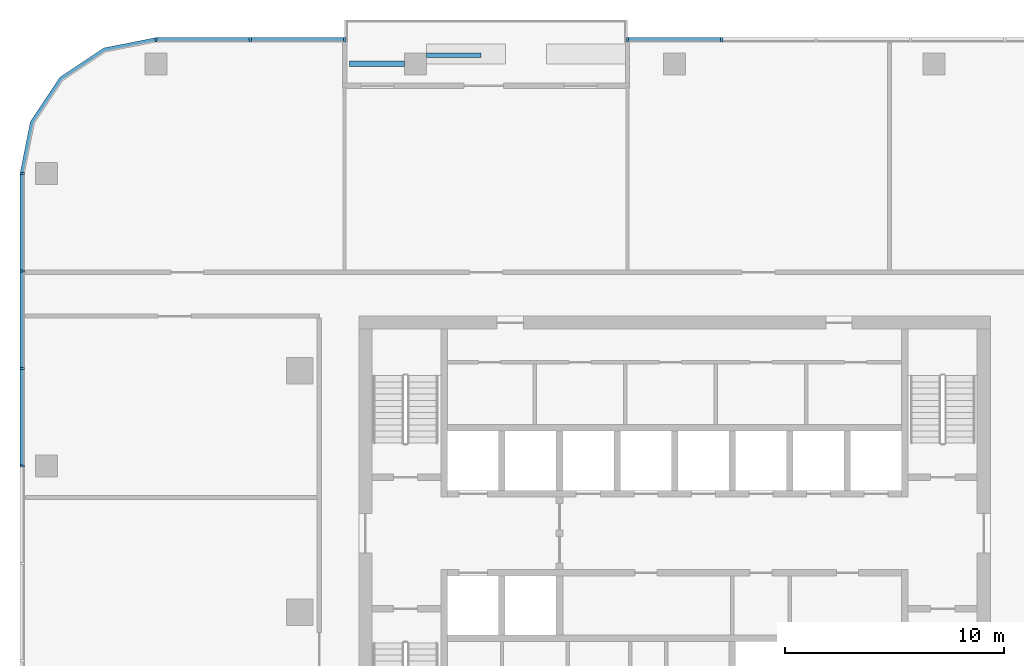
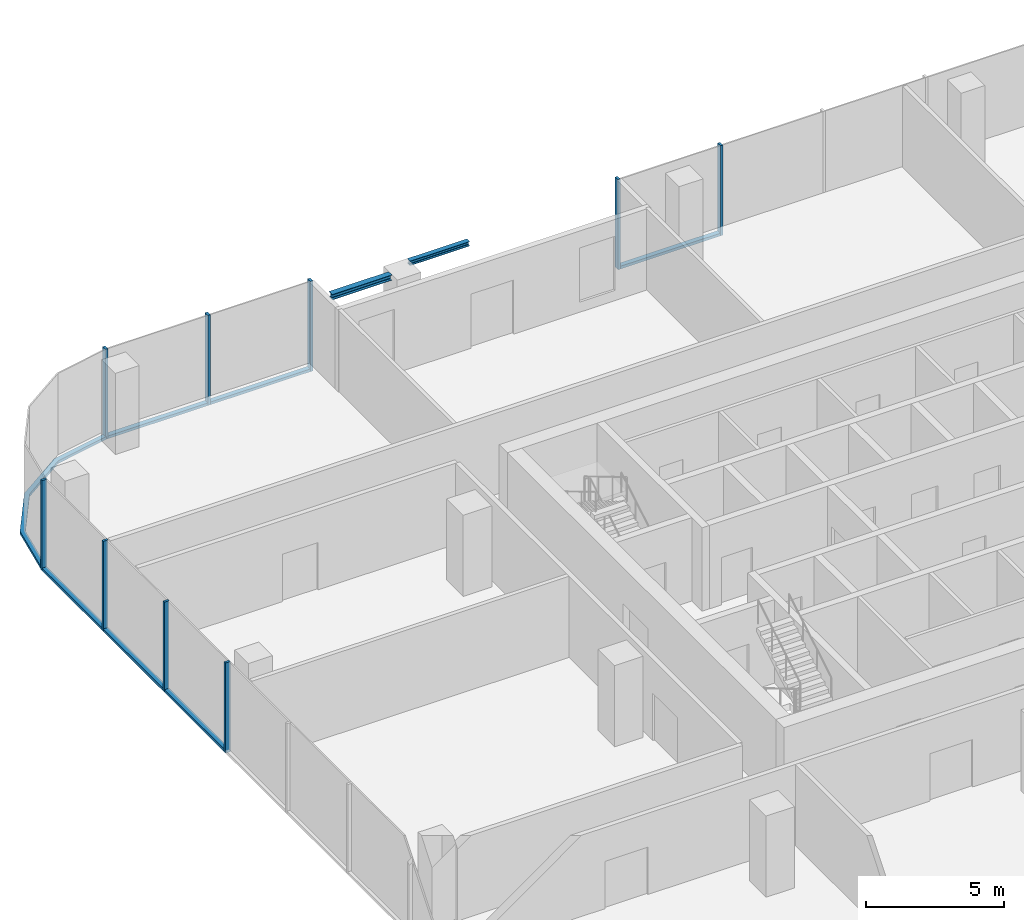
# One storey, part 4 of 13: 16 members, 2 beams, 4 elements without a shape of their own.
"""IFC4 building model written with IfcOpenShell, lengths in metres."""

from ifc_helpers import new_model, si_unit, direction, frame, origin, origin_2d, place, context, subcontext, project, spatial, polyline, rectangle, i_section, outline, extrude, material, material_profile, profile_set, type_object, element, aggregate, save


model = new_model("IFC4")

# Units and contexts
model_context = context("Model", 3, precision=1e-05, world=origin(), true_north=direction((0.0, 1.0)))
body_context = subcontext(model_context, "Body", "Model", "MODEL_VIEW")
ifc_project = project(units=[si_unit("LENGTHUNIT", "METRE"), si_unit("AREAUNIT", "SQUARE_METRE"), si_unit("VOLUMEUNIT", "CUBIC_METRE"), si_unit("PLANEANGLEUNIT", "RADIAN"), si_unit("MASSUNIT", "GRAM", prefix="KILO")], contexts=[model_context])

# Site, building, storey
site_placement = place(None, origin())
site = spatial("IfcSite", under=ifc_project, at=site_placement, CompositionType="ELEMENT")
building_placement = place(site_placement, origin())
building = spatial("IfcBuilding", under=site, at=building_placement, Name="Mopane Tessera Tower", CompositionType="ELEMENT")
storey_placement = place(building_placement, frame((0.0, 0.0, 299.39990234375)))
storey = spatial("IfcBuildingStorey", under=building, at=storey_placement, Name="L65", CompositionType="ELEMENT", Elevation=299.39990234375)

# Curtain wall, members
ifc_material_1 = material(Name="Aluminium frame", Category="aluminium")
curtain_wall_type = type_object("IfcCurtainWallType", Name="Unitised curtain wall", PredefinedType="NOTDEFINED", material=ifc_material_1)
curtain_wall_1_placement = place(storey_placement, origin())
curtain_wall_1 = element("IfcCurtainWall", 1, at=curtain_wall_1_placement, inside=storey, type_object=curtain_wall_type, Name="e:cw:L65:N:0", PredefinedType="NOTDEFINED")
ifc_material_2 = material(Name="Aluminium frame", Category="aluminium")
ifc_material_profile_1 = material_profile(ifc_material_2, rectangle(XDim=0.10009765625, YDim=0.199951171875, at=origin_2d()))
ifc_profile_set_1 = profile_set([ifc_material_profile_1], Name="Aluminium frame")
member_type_1 = type_object("IfcMemberType", Name="Aluminium mullion 100 x 200", PredefinedType="MULLION", material=ifc_profile_set_1)
member_1_placement = place(storey_placement, frame((2.14990234375, 26.10009765625, -0.39990234375), z_axis=(0.0, 0.0, 1.0), x_axis=(-1.0, 0.0, 0.0)))
member_1 = element("IfcMember", 2, at=member_1_placement, type_object=member_type_1, Name="e:cw:L65:N:0:mu5", PredefinedType="MULLION", context=body_context, shape_type="SweptSolid", body=[
    extrude(rectangle(XDim=0.10009765625, YDim=0.199951171875, at=origin_2d()), origin(), (0.0, 0.0, 1.0), 4.0),
])
member_2_placement = place(storey_placement, frame((-2.14990234375, 26.10009765625, -0.39990234375), z_axis=(0.0, 0.0, 1.0), x_axis=(-1.0, 0.0, 0.0)))
member_2 = element("IfcMember", 3, at=member_2_placement, type_object=member_type_1, Name="e:cw:L65:N:0:mu6", PredefinedType="MULLION", context=body_context, shape_type="SweptSolid", body=[
    extrude(rectangle(XDim=0.10009765625, YDim=0.199951171875, at=origin_2d()), origin(), (0.0, 0.0, 1.0), 4.0),
])

curtain_wall_2_placement = place(storey_placement, origin())
curtain_wall_2 = element("IfcCurtainWall", 4, at=curtain_wall_2_placement, inside=storey, type_object=curtain_wall_type, Name="e:cw:L65:N:9", PredefinedType="NOTDEFINED")
member_3_placement = place(storey_placement, frame((-15.050048828125, 26.10009765625, -0.39990234375), z_axis=(0.0, 0.0, 1.0), x_axis=(-1.0, 0.0, 0.0)))
member_3 = element("IfcMember", 5, at=member_3_placement, type_object=member_type_1, Name="e:cw:L65:N:9:mu9", PredefinedType="MULLION", context=body_context, shape_type="SweptSolid", body=[
    extrude(rectangle(XDim=0.10009765625, YDim=0.199951171875, at=origin_2d()), origin(), (0.0, 0.0, 1.0), 4.0),
])
member_4_placement = place(storey_placement, frame((-19.35009765625, 26.10009765625, -0.39990234375), z_axis=(0.0, 0.0, 1.0), x_axis=(-1.0, 0.0, 0.0)))
member_4 = element("IfcMember", 6, at=member_4_placement, type_object=member_type_1, Name="e:cw:L65:N:9:mu10", PredefinedType="MULLION", context=body_context, shape_type="SweptSolid", body=[
    extrude(rectangle(XDim=0.10009765625, YDim=0.199951171875, at=origin_2d()), origin(), (0.0, 0.0, 1.0), 4.0),
])
member_5_placement = place(storey_placement, frame((-23.64990234375, 26.10009765625, -0.39990234375), z_axis=(0.0, 0.0, 1.0), x_axis=(-1.0, 0.0, 0.0)))
member_5 = element("IfcMember", 7, at=member_5_placement, type_object=member_type_1, Name="e:cw:L65:N:9:mu11", PredefinedType="MULLION", context=body_context, shape_type="SweptSolid", body=[
    extrude(rectangle(XDim=0.10009765625, YDim=0.199951171875, at=origin_2d()), origin(), (0.0, 0.0, 1.0), 4.0),
])

curtain_wall_3_placement = place(storey_placement, origin())
curtain_wall_3 = element("IfcCurtainWall", 8, at=curtain_wall_3_placement, inside=storey, type_object=curtain_wall_type, Name="e:cw:L65:W:0", PredefinedType="NOTDEFINED")
member_6_placement = place(storey_placement, frame((-29.75, 20.0, -0.39990234375), z_axis=(0.0, 0.0, 1.0), x_axis=(0.0, -1.0, 0.0)))
member_6 = element("IfcMember", 9, at=member_6_placement, type_object=member_type_1, Name="e:cw:L65:W:0:mu0", PredefinedType="MULLION", context=body_context, shape_type="SweptSolid", body=[
    extrude(rectangle(XDim=0.10009765625, YDim=0.199951171875, at=origin_2d()), origin(), (0.0, 0.0, 1.0), 4.0),
])
member_7_placement = place(storey_placement, frame((-29.75, 15.5556640625, -0.39990234375), z_axis=(0.0, 0.0, 1.0), x_axis=(0.0, -1.0, 0.0)))
member_7 = element("IfcMember", 10, at=member_7_placement, type_object=member_type_1, Name="e:cw:L65:W:0:mu1", PredefinedType="MULLION", context=body_context, shape_type="SweptSolid", body=[
    extrude(rectangle(XDim=0.10009765625, YDim=0.199951171875, at=origin_2d()), origin(), (0.0, 0.0, 1.0), 4.0),
])
member_8_placement = place(storey_placement, frame((-29.75, 11.111083984375, -0.39990234375), z_axis=(0.0, 0.0, 1.0), x_axis=(0.0, -1.0, 0.0)))
member_8 = element("IfcMember", 11, at=member_8_placement, type_object=member_type_1, Name="e:cw:L65:W:0:mu2", PredefinedType="MULLION", context=body_context, shape_type="SweptSolid", body=[
    extrude(rectangle(XDim=0.10009765625, YDim=0.199951171875, at=origin_2d()), origin(), (0.0, 0.0, 1.0), 4.0),
])
member_9_placement = place(storey_placement, frame((-29.75, 6.666748046875, -0.39990234375), z_axis=(0.0, 0.0, 1.0), x_axis=(0.0, -1.0, 0.0)))
member_9 = element("IfcMember", 12, at=member_9_placement, type_object=member_type_1, Name="e:cw:L65:W:0:mu3", PredefinedType="MULLION", context=body_context, shape_type="SweptSolid", body=[
    extrude(rectangle(XDim=0.10009765625, YDim=0.199951171875, at=origin_2d()), origin(), (0.0, 0.0, 1.0), 4.0),
])

# Member
ifc_material_3 = material(Name="Aluminium frame", Category="aluminium")
ifc_material_profile_2 = material_profile(ifc_material_3, rectangle(XDim=0.199951171875, YDim=0.1201171875, at=origin_2d()))
ifc_profile_set_2 = profile_set([ifc_material_profile_2], Name="Aluminium frame")
member_type_2 = type_object("IfcMemberType", Name="Aluminium transom 200 x 120", PredefinedType="USERDEFINED", material=ifc_profile_set_2)
member_10_placement = place(storey_placement, frame((2.10009765625, 26.10009765625, -0.33984375), z_axis=(-1.0, 0.0, 0.0), x_axis=(0.0, -1.0, 0.0)))
member_10 = element("IfcMember", 13, at=member_10_placement, type_object=member_type_2, Name="e:cw:L65:N:0:tr5", ObjectType="TRANSOM", PredefinedType="USERDEFINED", context=body_context, shape_type="SweptSolid", body=[
    extrude(rectangle(XDim=0.199951171875, YDim=0.1201171875, at=origin_2d()), origin(), (0.0, 0.0, 1.0), 4.2001953125),
])

aggregate(curtain_wall_1, [member_1, member_2, member_10])

member_11_placement = place(storey_placement, frame((-15.10009765625, 26.10009765625, -0.33984375), z_axis=(-1.0, 0.0, 0.0), x_axis=(0.0, -1.0, 0.0)))
member_11 = element("IfcMember", 14, at=member_11_placement, type_object=member_type_2, Name="e:cw:L65:N:9:tr9", ObjectType="TRANSOM", PredefinedType="USERDEFINED", context=body_context, shape_type="SweptSolid", body=[
    extrude(rectangle(XDim=0.199951171875, YDim=0.1201171875, at=origin_2d()), origin(), (0.0, 0.0, 1.0), 4.199951171875),
])

member_12_placement = place(storey_placement, frame((-19.39990234375, 26.10009765625, -0.33984375), z_axis=(-1.0, 0.0, 0.0), x_axis=(0.0, -1.0, 0.0)))
member_12 = element("IfcMember", 15, at=member_12_placement, type_object=member_type_2, Name="e:cw:L65:N:9:tr10", ObjectType="TRANSOM", PredefinedType="USERDEFINED", context=body_context, shape_type="SweptSolid", body=[
    extrude(rectangle(XDim=0.199951171875, YDim=0.1201171875, at=origin_2d()), origin(), (0.0, 0.0, 1.0), 4.2001953125),
])

aggregate(curtain_wall_2, [member_3, member_4, member_5, member_11, member_12])

# Curtain wall, member
curtain_wall_4_placement = place(storey_placement, origin())
curtain_wall_4 = element("IfcCurtainWall", 16, at=curtain_wall_4_placement, inside=storey, type_object=curtain_wall_type, Name="e:cw:L65:CN", PredefinedType="NOTDEFINED")
member_13_placement = place(storey_placement, frame((0.0, 0.0, -0.39990234375)))
member_13 = element("IfcMember", 17, at=member_13_placement, type_object=member_type_2, Name="e:cw:L65:CN:tr", ObjectType="TRANSOM", PredefinedType="USERDEFINED", context=body_context, shape_type="SweptSolid", body=[
    extrude(outline(polyline([(-23.64990234375, 26.0), (-25.946044921875, 25.543212890625), (-27.892578125, 24.24267578125), (-29.193359375, 22.296142578125), (-29.64990234375, 20.0), (-29.85009765625, 20.0), (-29.378173828125, 22.37255859375), (-28.0341796875, 24.384033203125), (-26.022705078125, 25.72802734375), (-23.64990234375, 26.199951171875), (-23.64990234375, 26.0)])), origin(), (0.0, 0.0, 1.0), 0.1201171875),
])
aggregate(curtain_wall_4, [member_13])

# Member
member_14_placement = place(storey_placement, frame((-29.75, 19.949951171875, -0.33984375), z_axis=(0.0, -1.0, 0.0), x_axis=(1.0, 0.0, 0.0)))
member_14 = element("IfcMember", 18, at=member_14_placement, type_object=member_type_2, Name="e:cw:L65:W:0:tr0", ObjectType="TRANSOM", PredefinedType="USERDEFINED", context=body_context, shape_type="SweptSolid", body=[
    extrude(rectangle(XDim=0.199951171875, YDim=0.1201171875, at=origin_2d()), origin(), (0.0, 0.0, 1.0), 4.344482421875),
])

member_15_placement = place(storey_placement, frame((-29.75, 15.505615234375, -0.33984375), z_axis=(0.0, -1.0, 0.0), x_axis=(1.0, 0.0, 0.0)))
member_15 = element("IfcMember", 19, at=member_15_placement, type_object=member_type_2, Name="e:cw:L65:W:0:tr1", ObjectType="TRANSOM", PredefinedType="USERDEFINED", context=body_context, shape_type="SweptSolid", body=[
    extrude(rectangle(XDim=0.199951171875, YDim=0.1201171875, at=origin_2d()), origin(), (0.0, 0.0, 1.0), 4.344482421875),
])

member_16_placement = place(storey_placement, frame((-29.75, 11.06103515625, -0.33984375), z_axis=(0.0, -1.0, 0.0), x_axis=(1.0, 0.0, 0.0)))
member_16 = element("IfcMember", 20, at=member_16_placement, type_object=member_type_2, Name="e:cw:L65:W:0:tr2", ObjectType="TRANSOM", PredefinedType="USERDEFINED", context=body_context, shape_type="SweptSolid", body=[
    extrude(rectangle(XDim=0.199951171875, YDim=0.1201171875, at=origin_2d()), origin(), (0.0, 0.0, 1.0), 4.344482421875),
])

aggregate(curtain_wall_3, [member_6, member_7, member_8, member_9, member_14, member_15, member_16])

# Beams
ifc_material_4 = material(Name="Structural steel S460", Category="steel")
ifc_material_profile_3 = material_profile(ifc_material_4, i_section(OverallWidth=0.239990234375, OverallDepth=0.239990234375, WebThickness=0.010009765625, FlangeThickness=0.01708984375, FilletRadius=0.02099609375, at=origin_2d()))
ifc_profile_set_3 = profile_set([ifc_material_profile_3], Name="Structural steel S460")
beam_type_1 = type_object("IfcBeamType", Name="Terrace spandrel beam HE 240 B", PredefinedType="SPANDREL", material=ifc_profile_set_3)
beam_1_placement = place(storey_placement, frame((-12.327880859375, 25.0, 3.47998046875), z_axis=(-1.0, 0.0, 0.0), x_axis=(0.0, -1.0, 0.0)))
element("IfcBeam", 21, at=beam_1_placement, inside=storey, type_object=beam_type_1, Name="Terrace spandrel beam N2 L66", PredefinedType="SPANDREL", context=body_context, shape_type="SweptSolid", body=[
    extrude(i_section(OverallWidth=0.239990234375, OverallDepth=0.239990234375, WebThickness=0.010009765625, FlangeThickness=0.01708984375, FilletRadius=0.02099609375, at=origin_2d()), origin(), (0.0, 0.0, 1.0), 2.5),
])
ifc_material_5 = material(Name="Structural steel S460", Category="steel")
ifc_material_profile_4 = material_profile(ifc_material_5, i_section(OverallWidth=0.199951171875, OverallDepth=0.199951171875, WebThickness=0.009033203125, FlangeThickness=0.014892578125, FilletRadius=0.01806640625, at=origin_2d()))
ifc_profile_set_4 = profile_set([ifc_material_profile_4], Name="Structural steel S460")
beam_type_2 = type_object("IfcBeamType", Name="Terrace trimmer beam HE 200 B", PredefinedType="BEAM", material=ifc_profile_set_4)
beam_2_placement = place(storey_placement, frame((-11.322021484375, 25.39990234375, 3.5), z_axis=(1.0, 0.0, 0.0), x_axis=(0.0, 1.0, 0.0)))
element("IfcBeam", 22, at=beam_2_placement, inside=storey, type_object=beam_type_2, Name="Terrace trimmer beam N2 L66", PredefinedType="BEAM", context=body_context, shape_type="SweptSolid", body=[
    extrude(i_section(OverallWidth=0.199951171875, OverallDepth=0.199951171875, WebThickness=0.009033203125, FlangeThickness=0.014892578125, FilletRadius=0.01806640625, at=origin_2d()), origin(), (0.0, 0.0, 1.0), 2.5),
])

save(model, "model.ifc")
